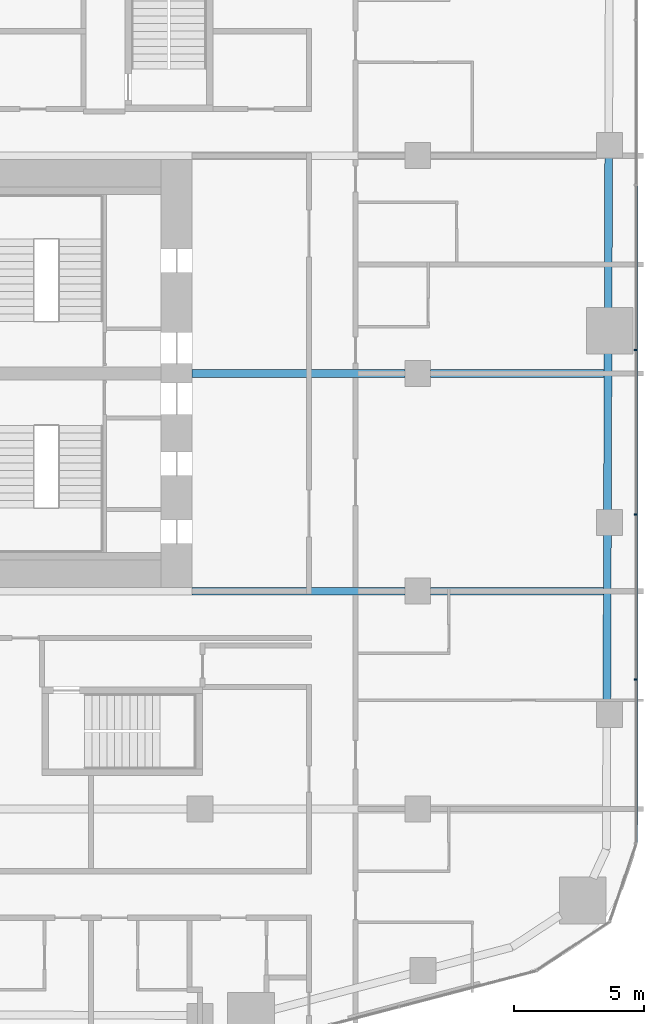
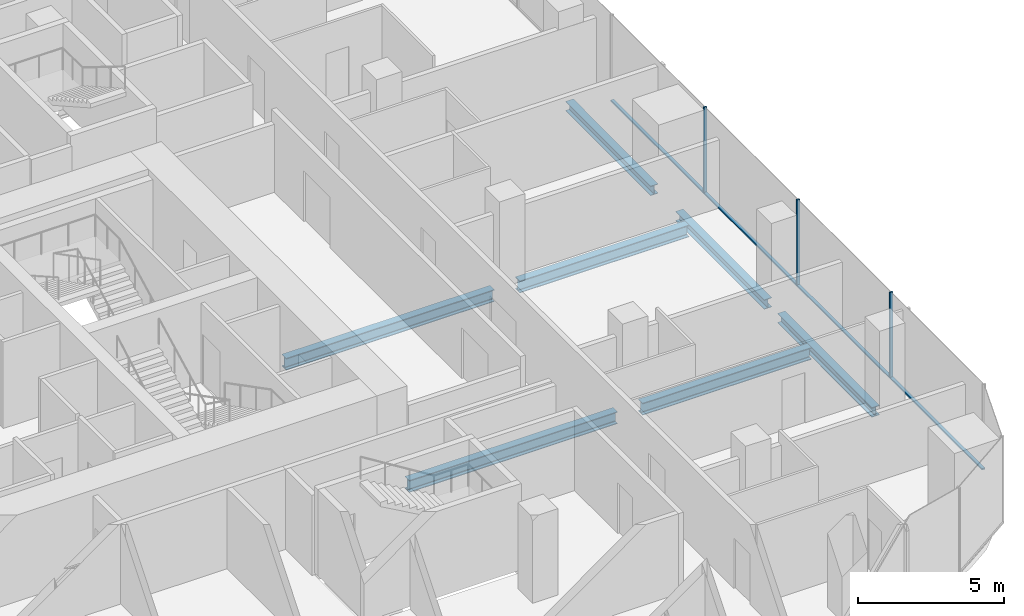
# One storey, part 7 of 26: 7 beams, 7 members, 1 element without a shape of its own.
"""IFC4 building model written with IfcOpenShell, lengths in metres."""

from ifc_helpers import new_model, si_unit, direction, frame, origin, origin_2d, place, context, subcontext, project, spatial, rectangle, i_section, extrude, material, layer, layer_set, material_profile, profile_set, type_object, element, aggregate, save


model = new_model("IFC4")

# Units and contexts
model_context = context("Model", 3, precision=1e-05, world=origin(), true_north=direction((0.0, 1.0)))
body_context = subcontext(model_context, "Body", "Model", "MODEL_VIEW")
ifc_project = project(units=[si_unit("LENGTHUNIT", "METRE"), si_unit("AREAUNIT", "SQUARE_METRE"), si_unit("VOLUMEUNIT", "CUBIC_METRE"), si_unit("PLANEANGLEUNIT", "RADIAN"), si_unit("MASSUNIT", "GRAM", prefix="KILO")], contexts=[model_context])

# Site, building, storey
site_placement = place(None, origin())
site = spatial("IfcSite", under=ifc_project, at=site_placement, CompositionType="ELEMENT")
building_placement = place(site_placement, origin())
building = spatial("IfcBuilding", under=site, at=building_placement, Name="Marenta Gate Hotel Tower", CompositionType="ELEMENT")
storey_placement = place(building_placement, frame((0.0, 0.0, 43.699951171875)))
storey = spatial("IfcBuildingStorey", under=building, at=storey_placement, Name="L08", CompositionType="ELEMENT", Elevation=43.699951171875)

# Beams
ifc_material_1 = material(Name="Steel S355", Category="steel")
ifc_material_profile_1 = material_profile(ifc_material_1, i_section(OverallWidth=0.300048828125, OverallDepth=0.39990234375, WebThickness=0.013427734375, FlangeThickness=0.02392578125, FilletRadius=0.027099609375, at=origin_2d()), Name="HEB 400")
ifc_profile_set_1 = profile_set([ifc_material_profile_1], Name="Steel S355")
beam_type_1 = type_object("IfcBeamType", Name="Edge beam HEB 400", PredefinedType="SPANDREL", material=ifc_profile_set_1)
beam_1_placement = place(storey_placement, frame((28.364013671875, 16.7431640625, -0.4599609375), z_axis=(-0.003306389661, -0.999994533879, 0.0), x_axis=(0.999994533879, -0.003306389661, 0.0)))
element("IfcBeam", 1, at=beam_1_placement, inside=storey, type_object=beam_type_1, Name="L08-EB-24", PredefinedType="SPANDREL", context=body_context, shape_type="SweptSolid", body=[
    extrude(i_section(OverallWidth=0.300048828125, OverallDepth=0.39990234375, WebThickness=0.013427734375, FlangeThickness=0.02392578125, FilletRadius=0.027099609375, at=origin_2d()), origin(), (0.0, 0.0, 1.0), 5.833251953125),
])
beam_2_placement = place(storey_placement, frame((28.3388671875, 9.18994140625, -0.4599609375), z_axis=(-0.003332378012, -0.999994447613, 0.0), x_axis=(0.999994447613, -0.003332378012, 0.0)))
element("IfcBeam", 2, at=beam_2_placement, inside=storey, type_object=beam_type_1, Name="L08-EB-25", PredefinedType="SPANDREL", context=body_context, shape_type="SweptSolid", body=[
    extrude(i_section(OverallWidth=0.300048828125, OverallDepth=0.39990234375, WebThickness=0.013427734375, FlangeThickness=0.02392578125, FilletRadius=0.027099609375, at=origin_2d()), origin(), (0.0, 0.0, 1.0), 6.080810546875),
])
beam_3_placement = place(storey_placement, frame((28.315673828125, 2.189208984375, -0.4599609375), z_axis=(-0.003352525703, -0.99999438027, 0.0), x_axis=(0.99999438027, -0.003352525703, 0.0)))
element("IfcBeam", 3, at=beam_3_placement, inside=storey, type_object=beam_type_1, Name="L08-EB-26", PredefinedType="SPANDREL", context=body_context, shape_type="SweptSolid", body=[
    extrude(i_section(OverallWidth=0.300048828125, OverallDepth=0.39990234375, WebThickness=0.013427734375, FlangeThickness=0.02392578125, FilletRadius=0.027099609375, at=origin_2d()), origin(), (0.0, 0.0, 1.0), 6.481201171875),
])
ifc_material_2 = material(Name="Steel S355", Category="steel")
ifc_material_profile_2 = material_profile(ifc_material_2, i_section(OverallWidth=0.300048828125, OverallDepth=0.5, WebThickness=0.014404296875, FlangeThickness=0.028076171875, FilletRadius=0.027099609375, at=origin_2d()), Name="HEB 500")
ifc_profile_set_2 = profile_set([ifc_material_profile_2], Name="Steel S355")
beam_type_2 = type_object("IfcBeamType", Name="Girder HEB 500", PredefinedType="BEAM", material=ifc_profile_set_2)
beam_4_placement = place(storey_placement, frame((12.300048828125, 0.0, -0.510009765625), z_axis=(1.0, 0.0, 0.0), x_axis=(0.0, 1.0, 0.0)))
element("IfcBeam", 4, at=beam_4_placement, inside=storey, type_object=beam_type_2, Name="L08-GD-11", PredefinedType="BEAM", context=body_context, shape_type="SweptSolid", body=[
    extrude(i_section(OverallWidth=0.300048828125, OverallDepth=0.5, WebThickness=0.014404296875, FlangeThickness=0.028076171875, FilletRadius=0.027099609375, at=origin_2d()), origin(), (0.0, 0.0, 1.0), 8.199951171875),
])
beam_5_placement = place(storey_placement, frame((21.5, 0.0, -0.510009765625), z_axis=(1.0, 0.0, 0.0), x_axis=(0.0, 1.0, 0.0)))
element("IfcBeam", 5, at=beam_5_placement, inside=storey, type_object=beam_type_2, Name="L08-GD-12", PredefinedType="BEAM", context=body_context, shape_type="SweptSolid", body=[
    extrude(i_section(OverallWidth=0.300048828125, OverallDepth=0.5, WebThickness=0.014404296875, FlangeThickness=0.028076171875, FilletRadius=0.027099609375, at=origin_2d()), origin(), (0.0, 0.0, 1.0), 6.658203125),
])
beam_6_placement = place(storey_placement, frame((12.300048828125, 8.39990234375, -0.510009765625), z_axis=(1.0, 0.0, 0.0), x_axis=(0.0, 1.0, 0.0)))
element("IfcBeam", 6, at=beam_6_placement, inside=storey, type_object=beam_type_2, Name="L08-GD-15", PredefinedType="BEAM", context=body_context, shape_type="SweptSolid", body=[
    extrude(i_section(OverallWidth=0.300048828125, OverallDepth=0.5, WebThickness=0.014404296875, FlangeThickness=0.028076171875, FilletRadius=0.027099609375, at=origin_2d()), origin(), (0.0, 0.0, 1.0), 8.199951171875),
])
beam_7_placement = place(storey_placement, frame((21.5, 8.39990234375, -0.510009765625), z_axis=(1.0, 0.0, 0.0), x_axis=(0.0, 1.0, 0.0)))
element("IfcBeam", 7, at=beam_7_placement, inside=storey, type_object=beam_type_2, Name="L08-GD-16", PredefinedType="BEAM", context=body_context, shape_type="SweptSolid", body=[
    extrude(i_section(OverallWidth=0.300048828125, OverallDepth=0.5, WebThickness=0.014404296875, FlangeThickness=0.028076171875, FilletRadius=0.027099609375, at=origin_2d()), origin(), (0.0, 0.0, 1.0), 6.686279296875),
])

# Curtain wall, members
ifc_material_3 = material(Name="Tinted insulated glass in bronze anodised frame", Category="glass")
ifc_layer = layer(ifc_material_3, 0.1201171875)
ifc_layer_set = layer_set([ifc_layer], Name="Tinted insulated glass in bronze anodised frame")
curtain_wall_type = type_object("IfcCurtainWallType", Name="Tower unitised curtain wall CW1", PredefinedType="NOTDEFINED", material=ifc_layer_set)
curtain_wall_placement = place(storey_placement, origin())
curtain_wall = element("IfcCurtainWall", 8, at=curtain_wall_placement, inside=storey, type_object=curtain_wall_type, Name="CW1 run G11", PredefinedType="NOTDEFINED")
ifc_material_4 = material(Name="Bronze anodised aluminium", Category="aluminium")
ifc_material_profile_3 = material_profile(ifc_material_4, rectangle(XDim=0.1201171875, YDim=0.06005859375, at=origin_2d()), Name="Mullion CW1 60x120 bronze anodised aluminium")
ifc_profile_set_3 = profile_set([ifc_material_profile_3], Name="Bronze anodised aluminium")
member_type_1 = type_object("IfcMemberType", Name="Mullion CW1 60x120 bronze anodised aluminium", PredefinedType="MULLION", material=ifc_profile_set_3)
member_1_placement = place(storey_placement, frame((29.4140625, -3.407958984375, 0.0), z_axis=(0.0, 0.0, 1.0), x_axis=(-1.0, 0.0, 0.0)))
member_1 = element("IfcMember", 9, at=member_1_placement, type_object=member_type_1, Name="CW1 mullion 2", PredefinedType="MULLION", context=body_context, shape_type="SweptSolid", body=[
    extrude(rectangle(XDim=0.1201171875, YDim=0.06005859375, at=origin_2d()), origin(), (0.0, 0.0, 1.0), 3.60009765625),
])
member_2_placement = place(storey_placement, frame((29.4140625, 2.951904296875, 0.0), z_axis=(0.0, 0.0, 1.0), x_axis=(-1.0, 0.0, 0.0)))
member_2 = element("IfcMember", 10, at=member_2_placement, type_object=member_type_1, Name="CW1 mullion 3", PredefinedType="MULLION", context=body_context, shape_type="SweptSolid", body=[
    extrude(rectangle(XDim=0.1201171875, YDim=0.06005859375, at=origin_2d()), origin(), (0.0, 0.0, 1.0), 3.60009765625),
])
member_3_placement = place(storey_placement, frame((29.4140625, 9.31201171875, 0.0), z_axis=(0.0, 0.0, 1.0), x_axis=(-1.0, 0.0, 0.0)))
member_3 = element("IfcMember", 11, at=member_3_placement, type_object=member_type_1, Name="CW1 mullion 4", PredefinedType="MULLION", context=body_context, shape_type="SweptSolid", body=[
    extrude(rectangle(XDim=0.1201171875, YDim=0.06005859375, at=origin_2d()), origin(), (0.0, 0.0, 1.0), 3.60009765625),
])
ifc_material_5 = material(Name="Bronze anodised aluminium", Category="aluminium")
ifc_material_profile_4 = material_profile(ifc_material_5, rectangle(XDim=0.1201171875, YDim=0.06005859375, at=origin_2d()), Name="Transom CW1 60x120 bronze anodised aluminium")
ifc_profile_set_4 = profile_set([ifc_material_profile_4], Name="Bronze anodised aluminium")
member_type_2 = type_object("IfcMemberType", Name="Transom CW1 60x120 bronze anodised aluminium", PredefinedType="USERDEFINED", material=ifc_profile_set_4)
member_4_placement = place(storey_placement, frame((29.4140625, -9.7080078125, 0.030029296875), z_axis=(0.0, 1.0, 0.0), x_axis=(-1.0, 0.0, 0.0)))
member_4 = element("IfcMember", 12, at=member_4_placement, type_object=member_type_2, Name="CW1 transom 1.1", ObjectType="TRANSOM", PredefinedType="USERDEFINED", context=body_context, shape_type="SweptSolid", body=[
    extrude(rectangle(XDim=0.1201171875, YDim=0.06005859375, at=origin_2d()), origin(), (0.0, 0.0, 1.0), 6.27001953125),
])
member_5_placement = place(storey_placement, frame((29.4140625, -3.3779296875, 0.030029296875), z_axis=(0.0, 1.0, 0.0), x_axis=(-1.0, 0.0, 0.0)))
member_5 = element("IfcMember", 13, at=member_5_placement, type_object=member_type_2, Name="CW1 transom 2.1", ObjectType="TRANSOM", PredefinedType="USERDEFINED", context=body_context, shape_type="SweptSolid", body=[
    extrude(rectangle(XDim=0.1201171875, YDim=0.06005859375, at=origin_2d()), origin(), (0.0, 0.0, 1.0), 6.2998046875),
])
member_6_placement = place(storey_placement, frame((29.4140625, 2.98193359375, 0.030029296875), z_axis=(0.0, 1.0, 0.0), x_axis=(-1.0, 0.0, 0.0)))
member_6 = element("IfcMember", 14, at=member_6_placement, type_object=member_type_2, Name="CW1 transom 3.1", ObjectType="TRANSOM", PredefinedType="USERDEFINED", context=body_context, shape_type="SweptSolid", body=[
    extrude(rectangle(XDim=0.1201171875, YDim=0.06005859375, at=origin_2d()), origin(), (0.0, 0.0, 1.0), 6.300048828125),
])
member_7_placement = place(storey_placement, frame((29.4140625, 9.342041015625, 0.030029296875), z_axis=(0.0, 1.0, 0.0), x_axis=(-1.0, 0.0, 0.0)))
member_7 = element("IfcMember", 15, at=member_7_placement, type_object=member_type_2, Name="CW1 transom 4.1", ObjectType="TRANSOM", PredefinedType="USERDEFINED", context=body_context, shape_type="SweptSolid", body=[
    extrude(rectangle(XDim=0.1201171875, YDim=0.06005859375, at=origin_2d()), origin(), (0.0, 0.0, 1.0), 6.2998046875),
])
aggregate(curtain_wall, [member_1, member_2, member_3, member_4, member_5, member_6, member_7])

save(model, "model.ifc")
